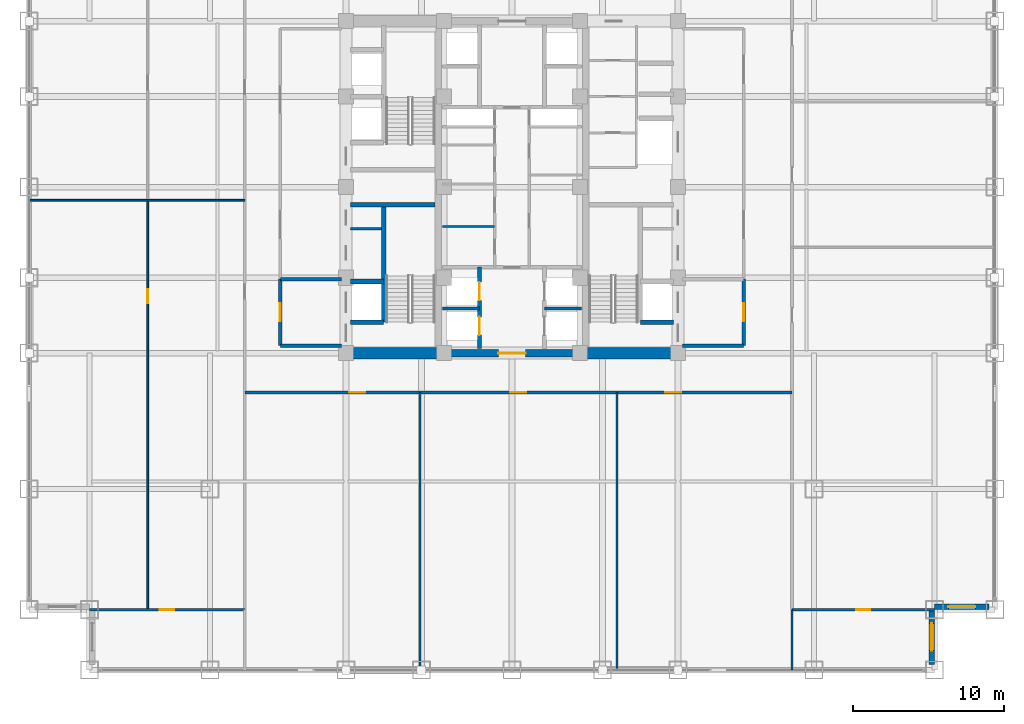
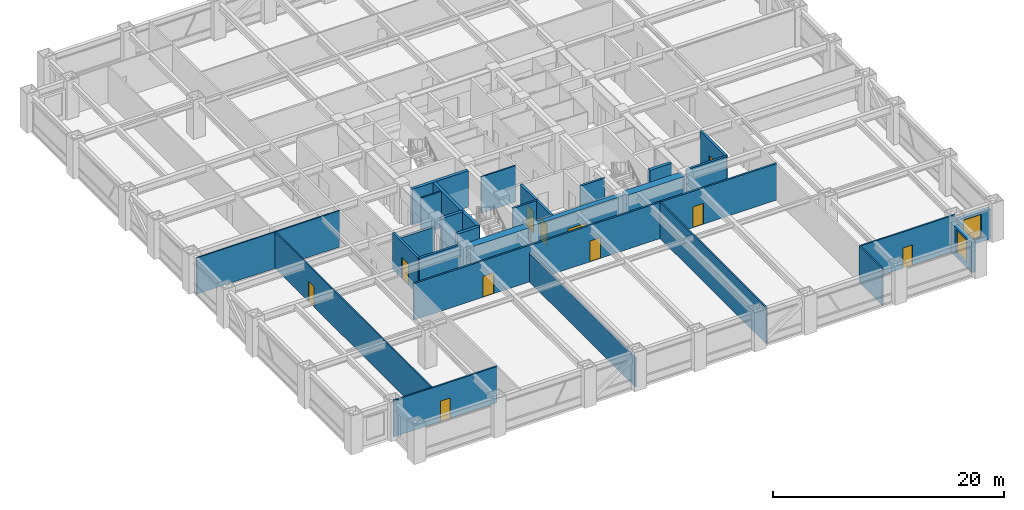
# One storey, part 23 of 27: 28 walls, 11 doors, 2 windows, 13 openings.
"""IFC4 building model written with IfcOpenShell, lengths in metres."""

import ifcopenshell
import ifcopenshell.guid

model = None  # the IFC model being written
_history = None  # IfcOwnerHistory: only IFC2X3 demands one
_inside = {}  # id of a spatial element -> (the spatial element, [elements in it])
_under = {}  # id of a project, library or spatial element -> (it, [spatial elements below it])
_declared = {}  # id of a project -> (the project, [libraries it declares])
_typed = {}  # id of a type object -> (the type object, [elements of that type])
_made_of = {}  # id of a material, layer set ... -> (it, [elements and type objects made of it])


def new_model(schema):
    """Start an empty IFC model of exactly this schema.

    Asked for "IFC4X3", IfcOpenShell would pick the latest addendum, in which some entities
    have other attributes; the version numbers below select the first issue.
    IFC2X3 requires an IfcOwnerHistory on every rooted entity: one is made here for all.
    """
    global model, _history
    if schema == "IFC4X3":
        model = ifcopenshell.file(schema_version=(4, 3, 0, 0))
    else:
        model = ifcopenshell.file(schema=schema)
    _inside.clear()
    _under.clear()
    _declared.clear()
    _typed.clear()
    _made_of.clear()
    _history = None
    if model.schema == "IFC2X3":
        org = make("IfcOrganization", Name="unknown")
        user = make(
            "IfcPersonAndOrganization",
            ThePerson=make("IfcPerson", FamilyName="unknown"),
            TheOrganization=org,
        )
        app = make(
            "IfcApplication",
            ApplicationDeveloper=org,
            Version="unknown",
            ApplicationFullName="unknown",
            ApplicationIdentifier="unknown",
        )
        _history = make(
            "IfcOwnerHistory",
            OwningUser=user,
            OwningApplication=app,
            ChangeAction="ADDED",
            CreationDate=0,
        )
    return model


def make(cls, **values):
    """One entity of the class cls with the attributes given. An attribute that is None is left unset."""
    return model.create_entity(
        cls, **{name: value for name, value in values.items() if value is not None}
    )


def rooted(cls, **values):
    """An entity with a GlobalId (a new one), such as an element, a storey or a relation."""
    return make(cls, GlobalId=ifcopenshell.guid.new(), OwnerHistory=_history, **values)


def si_unit(unit_type, name, prefix=None):
    """IfcSIUnit, for example si_unit("LENGTHUNIT", "METRE", prefix="MILLI")."""
    return make("IfcSIUnit", UnitType=unit_type, Prefix=prefix, Name=name)


def assignment(units):
    """IfcUnitAssignment: the units of a project."""
    return None if units is None else make("IfcUnitAssignment", Units=units)


def point(xyz):
    """IfcCartesianPoint."""
    return None if xyz is None else make("IfcCartesianPoint", Coordinates=xyz)


def direction(xyz):
    """IfcDirection."""
    return None if xyz is None else make("IfcDirection", DirectionRatios=xyz)


def frame(location, z_axis=None, x_axis=None):
    """IfcAxis2Placement3D, a coordinate frame: its origin and axes. An axis left out is left unset."""
    return make(
        "IfcAxis2Placement3D",
        Location=point(location),
        Axis=direction(z_axis),
        RefDirection=direction(x_axis),
    )


def frame_2d(location, x_axis=None):
    """IfcAxis2Placement2D, a coordinate frame in the plane: its origin and x axis."""
    return make(
        "IfcAxis2Placement2D", Location=point(location), RefDirection=direction(x_axis)
    )


def origin():
    """The frame at (0, 0, 0) with its axes left unset."""
    return frame((0.0, 0.0, 0.0))


def place(relative_to, where):
    """IfcLocalPlacement: puts the frame where relative to a parent placement (None: the world)."""
    return make(
        "IfcLocalPlacement", PlacementRelTo=relative_to, RelativePlacement=where
    )


def context(
    kind, dimensions, precision=None, world=None, true_north=None, identifier=None
):
    """IfcGeometricRepresentationContext, for example the 3D "Model" context."""
    return make(
        "IfcGeometricRepresentationContext",
        ContextIdentifier=identifier,
        ContextType=kind,
        CoordinateSpaceDimension=dimensions,
        Precision=precision,
        WorldCoordinateSystem=world,
        TrueNorth=true_north,
    )


def subcontext(parent, identifier, kind, view, scale=None):
    """IfcGeometricRepresentationSubContext, for example "Body" below "Model"."""
    return make(
        "IfcGeometricRepresentationSubContext",
        ContextIdentifier=identifier,
        ContextType=kind,
        ParentContext=parent,
        TargetScale=scale,
        TargetView=view,
    )


def project(units=None, contexts=None):
    """IfcProject with its units and contexts."""
    return rooted(
        "IfcProject",
        Name="project",
        RepresentationContexts=contexts,
        UnitsInContext=assignment(units),
    )


def spatial(cls, under=None, at=None, **own):
    """A site, building, storey or space (cls), placed at a placement, below another one or the project."""
    s = rooted(cls, ObjectPlacement=at, **own)
    if under is not None:
        _under.setdefault(under.id(), (under, []))[1].append(s)
    return s


def profile(cls, at=None, kind="AREA", **sizes):
    """A parametric profile (cls). Its sizes go by their IFC names, for example OverallWidth=200.0."""
    return make(cls, ProfileType=kind, Position=at, **sizes)


def rectangle(**sizes):
    """IfcRectangleProfileDef."""
    return profile("IfcRectangleProfileDef", **sizes)


def extrude(swept, where, along, depth):
    """IfcExtrudedAreaSolid: the profile swept, set in the frame where, extruded along a direction by depth."""
    return make(
        "IfcExtrudedAreaSolid",
        SweptArea=swept,
        Position=where,
        ExtrudedDirection=direction(along),
        Depth=depth,
    )


def shape(context_of_items, identifier, shape_type, items):
    """IfcShapeRepresentation: the items that make up one representation, for example the "Body"."""
    return make(
        "IfcShapeRepresentation",
        ContextOfItems=context_of_items,
        RepresentationIdentifier=identifier,
        RepresentationType=shape_type,
        Items=items,
    )


def source(mapping_origin, context_of_items, identifier, shape_type, items):
    """IfcRepresentationMap: a shape defined once, which mapped items show again and again."""
    return make(
        "IfcRepresentationMap",
        MappingOrigin=mapping_origin,
        MappedRepresentation=shape(context_of_items, identifier, shape_type, items),
    )


def transform(
    local_origin,
    x_axis=None,
    y_axis=None,
    z_axis=None,
    scale=None,
    scale2=None,
    scale3=None,
    uniform=True,
):
    """IfcCartesianTransformationOperator3D, or its non-uniform kind. x_axis, y_axis, z_axis: its Axis1, 2, 3."""
    if uniform:
        return make(
            "IfcCartesianTransformationOperator3D",
            Axis1=direction(x_axis),
            Axis2=direction(y_axis),
            LocalOrigin=point(local_origin),
            Scale=scale,
            Axis3=direction(z_axis),
        )
    return make(
        "IfcCartesianTransformationOperator3DnonUniform",
        Axis1=direction(x_axis),
        Axis2=direction(y_axis),
        LocalOrigin=point(local_origin),
        Scale=scale,
        Axis3=direction(z_axis),
        Scale2=scale2,
        Scale3=scale3,
    )


def mapped(mapping_source, mapping_target):
    """IfcMappedItem: shows the shape of a source again, moved by a transform."""
    return make(
        "IfcMappedItem", MappingSource=mapping_source, MappingTarget=mapping_target
    )


def material(Name=None, Category=None):
    """IfcMaterial."""
    return make("IfcMaterial", Name=Name, Category=Category)


def layer(
    of_material, thickness, ventilated=None, Name=None, Category=None, Priority=None
):
    """IfcMaterialLayer: one layer of a wall or slab, of a material (None: an air gap)."""
    return make(
        "IfcMaterialLayer",
        Material=of_material,
        LayerThickness=thickness,
        IsVentilated=ventilated,
        Name=Name,
        Category=Category,
        Priority=Priority,
    )


def layer_set(layers, Name=None):
    """IfcMaterialLayerSet."""
    return make("IfcMaterialLayerSet", MaterialLayers=layers, LayerSetName=Name)


def made_of(thing, what):
    """Note that an element or type object is made of a material, layer set ...; save() writes the relation."""
    if what is not None:
        _made_of.setdefault(what.id(), (what, []))[1].append(thing)
    return thing


def type_object(cls, material=None, **own):
    """A type object (cls), such as IfcWallType, which elements share."""
    return made_of(rooted(cls, **own), material)


def element(
    cls,
    number,
    at=None,
    inside=None,
    cuts=None,
    type_object=None,
    material=None,
    context=None,
    identifier="Body",
    shape_type=None,
    held_by="IfcProductDefinitionShape",
    body=None,
    shapes=None,
    **own,
):
    """One element of the class cls, such as IfcWall. Its Tag is "e" and its number.

    at: its placement. inside: the storey or other place that contains it. cuts: it is an
    opening in that element (IfcRelVoidsElement). A single representation is given by context,
    identifier, shape_type and body (its items); several are given by shapes. held_by: the class
    of the entity that holds the representations. save() writes the other relations.
    """
    e = rooted(cls, Tag="e%d" % number, ObjectPlacement=at, **own)
    if body is not None:
        shapes = [shape(context, identifier, shape_type, body)]
    if shapes is not None:
        e.Representation = make(held_by, Representations=shapes)
    if inside is not None:
        _inside.setdefault(inside.id(), (inside, []))[1].append(e)
    if cuts is not None:
        rooted(
            "IfcRelVoidsElement", RelatingBuildingElement=cuts, RelatedOpeningElement=e
        )
    if type_object is not None:
        _typed.setdefault(type_object.id(), (type_object, []))[1].append(e)
    return made_of(e, material)


def fill(opening, filler):
    """IfcRelFillsElement: the door or window that sits in an opening."""
    return rooted(
        "IfcRelFillsElement",
        RelatingOpeningElement=opening,
        RelatedBuildingElement=filler,
    )


def aggregate(whole, parts):
    """IfcRelAggregates: a whole, such as a stair, and the parts it consists of."""
    return rooted("IfcRelAggregates", RelatingObject=whole, RelatedObjects=parts)


def save(model, path):
    """Write the relations noted so far, then the file.

    IfcRelAggregates (storeys below a building ...), IfcRelContainedInSpatialStructure (elements
    in a storey), IfcRelDefinesByType, IfcRelAssociatesMaterial and IfcRelDeclares: one each for
    every whole, place, type object, material and project.
    """
    for whole, parts in _under.values():
        aggregate(whole, parts)
    for where, things in _inside.values():
        rooted(
            "IfcRelContainedInSpatialStructure",
            RelatedElements=things,
            RelatingStructure=where,
        )
    for kind, things in _typed.values():
        rooted("IfcRelDefinesByType", RelatedObjects=things, RelatingType=kind)
    for what, things in _made_of.values():
        rooted("IfcRelAssociatesMaterial", RelatedObjects=things, RelatingMaterial=what)
    for by, libraries in _declared.values():
        rooted("IfcRelDeclares", RelatingContext=by, RelatedDefinitions=libraries)
    model.write(path)


model = new_model("IFC4")

# Units and contexts
model_context = context("Model", 3, precision=1e-05, world=origin(), true_north=direction((0.0, 1.0)))
body_context = subcontext(model_context, "Body", "Model", "MODEL_VIEW")
ifc_project = project(units=[si_unit("LENGTHUNIT", "METRE"), si_unit("AREAUNIT", "SQUARE_METRE"), si_unit("VOLUMEUNIT", "CUBIC_METRE"), si_unit("PLANEANGLEUNIT", "RADIAN"), si_unit("MASSUNIT", "GRAM", prefix="KILO")], contexts=[model_context])

# Site, building, storey
site_placement = place(None, origin())
site = spatial("IfcSite", under=ifc_project, at=site_placement, CompositionType="ELEMENT")
building_placement = place(site_placement, origin())
building = spatial("IfcBuilding", under=site, at=building_placement, Name="Khorayat Bourse Tower", CompositionType="ELEMENT")
storey_placement = place(building_placement, frame((0.0, 0.0, 111.89990234375)))
storey = spatial("IfcBuildingStorey", under=building, at=storey_placement, Name="L25", CompositionType="ELEMENT", Elevation=111.89990234375)

# Walls
ifc_material_1 = material(Name="Concrete C72/90", Category="concrete")
ifc_layer_1 = layer(ifc_material_1, 0.75)
ifc_layer_set_1 = layer_set([ifc_layer_1], Name="Concrete C72/90")
wall_type_1 = type_object("IfcWallType", Name="WAL-CORE-750", PredefinedType="SHEAR", material=ifc_layer_set_1)
shared_shape_1 = source(origin(), body_context, "Body", "SweptSolid", [
    extrude(rectangle(XDim=5.849853515625, YDim=0.75, at=frame_2d((2.9248046875, 0.0))), origin(), (0.0, 0.0, 1.0), 3.840087890625),
])
for number, where, z_axis, x_axis, name in (
    (1, (-10.699951171875, -11.0, 0.0), (0.0, 0.0, 1.0), (1.0, 0.0, 0.0), "L25 Core Shear Wall PIER-WS"),
    (2, (4.85009765625, -11.0, 0.0), (0.0, 0.0, 1.0), (1.0, 0.0, 0.0), "L25 Core Shear Wall PIER-ES"),
):
    element("IfcWall", number, at=place(storey_placement, frame(where, z_axis=z_axis, x_axis=x_axis)), inside=storey, type_object=wall_type_1, Name=name, PredefinedType="SHEAR", context=body_context, shape_type="MappedRepresentation", body=[
        mapped(shared_shape_1, transform((0.0, 0.0, 0.0), scale=1.0)),
    ])
ifc_material_2 = material(Name="Concrete C50/60", Category="concrete")
ifc_layer_2 = layer(ifc_material_2, 0.300048828125)
ifc_layer_set_2 = layer_set([ifc_layer_2], Name="Concrete C50/60")
wall_type_2 = type_object("IfcWallType", Name="WAL-SHAFT-300", PredefinedType="SHEAR", material=ifc_layer_set_2)
shared_shape_2 = source(origin(), body_context, "Body", "SweptSolid", [
    extrude(rectangle(XDim=5.599853515625, YDim=0.300048828125, at=frame_2d((2.7998046875, 0.0))), origin(), (0.0, 0.0, 1.0), 3.840087890625),
])
wall_1_placement = place(storey_placement, frame((-10.699951171875, -1.14990234375, 0.0), z_axis=(0.0, 0.0, 1.0), x_axis=(1.0, 0.0, 0.0)))
element("IfcWall", 3, at=wall_1_placement, inside=storey, type_object=wall_type_2, Name="L25 Core Shear Wall ST1-DIV", PredefinedType="SHEAR", context=body_context, shape_type="MappedRepresentation", body=[
    mapped(shared_shape_2, transform((0.0, 0.0, 0.0), scale=1.0)),
])

# Wall, opening, door
ifc_material_3 = material(Name="Concrete C52/65", Category="concrete")
ifc_layer_3 = layer(ifc_material_3, 0.5)
ifc_layer_set_3 = layer_set([ifc_layer_3], Name="Concrete C52/65")
wall_type_3 = type_object("IfcWallType", Name="WAL-CORE-500", PredefinedType="SHEAR", material=ifc_layer_set_3)
shared_shape_3 = source(origin(), body_context, "Body", "SweptSolid", [
    extrude(rectangle(XDim=9.2001953125, YDim=0.5, at=frame_2d((4.60009765625, 0.0))), origin(), (0.0, 0.0, 1.0), 3.840087890625),
])
wall_2_placement = place(storey_placement, frame((-4.60009765625, -11.0, 0.0), z_axis=(0.0, 0.0, 1.0), x_axis=(1.0, 0.0, 0.0)))
wall_2 = element("IfcWall", 4, at=wall_2_placement, inside=storey, type_object=wall_type_3, Name="L25 Core Shear Wall CORE-S", PredefinedType="SHEAR", context=body_context, shape_type="MappedRepresentation", body=[
    mapped(shared_shape_3, transform((0.0, 0.0, 0.0), scale=1.0)),
])
shared_shape_4 = source(origin(), body_context, "Body", "SweptSolid", [
    extrude(rectangle(XDim=1.800048828125, YDim=2.25, at=frame_2d((0.89990234375, 1.125))), frame((0.0, 0.260009765625, 0.0), z_axis=(0.0, -1.0, 0.0), x_axis=(1.0, 0.0, 0.0)), (0.0, 0.0, 1.0), 0.52001953125),
])
opening_1_placement = place(wall_2_placement, frame((3.699951171875, 0.0, 0.0)))
opening_1 = element("IfcOpeningElement", 5, at=opening_1_placement, cuts=wall_2, Name="Opening DI-03", PredefinedType="OPENING", context=body_context, shape_type="MappedRepresentation", body=[
    mapped(shared_shape_4, transform((0.0, 0.0, 0.0), scale=1.0)),
])
ifc_material_4 = material(Name="Fire-rated hardwood vision-panel double leaf", Category="wood")
door_type_1 = type_object("IfcDoorType", Name="DR-INT-CORR-1800", OperationType="NOTDEFINED", PredefinedType="DOOR", material=ifc_material_4)
shared_shape_5 = source(origin(), body_context, "Body", "SweptSolid", [
    extrude(rectangle(XDim=1.800048828125, YDim=2.25, at=frame_2d((0.89990234375, 1.125))), frame((0.0, 0.02490234375, 0.0), z_axis=(0.0, -1.0, 0.0), x_axis=(1.0, 0.0, 0.0)), (0.0, 0.0, 1.0), 0.050048828125),
])
door_1_placement = place(opening_1_placement, origin())
door_1 = element("IfcDoor", 6, at=door_1_placement, inside=storey, type_object=door_type_1, Name="L25 Low-Rise Lift Lobby Door", OperationType="SINGLE_SWING_LEFT", OverallHeight=2.25, OverallWidth=1.800048828125, PredefinedType="DOOR", context=body_context, shape_type="MappedRepresentation", body=[
    mapped(shared_shape_5, transform((0.0, 0.0, 0.0), scale=1.0)),
])
fill(opening_1, door_1)

# Wall, opening, window
ifc_material_5 = material(Name="Precast concrete C45/55", Category="concrete")
ifc_layer_4 = layer(ifc_material_5, 0.3798828125)
ifc_layer_set_4 = layer_set([ifc_layer_4], Name="Precast concrete C45/55")
wall_type_4 = type_object("IfcWallType", Name="WAL-EXT-STONE-380", PredefinedType="STANDARD", material=ifc_layer_set_4)
shared_shape_6 = source(origin(), body_context, "Body", "SweptSolid", [
    extrude(rectangle(XDim=3.6201171875, YDim=0.3798828125, at=frame_2d((1.81005859375, 0.0))), origin(), (0.0, 0.0, 1.0), 3.14501953125),
])
wall_3_placement = place(storey_placement, frame((27.81005859375, -31.6201171875, 0.0), z_axis=(0.0, 0.0, 1.0), x_axis=(0.0, 1.0, 0.0)))
wall_3 = element("IfcWall", 7, at=wall_3_placement, inside=storey, type_object=wall_type_4, Name="L25 Re-Entrant Notch Limestone Wall SE-V", PredefinedType="STANDARD", context=body_context, shape_type="MappedRepresentation", body=[
    mapped(shared_shape_6, transform((0.0, 0.0, 0.0), scale=1.0)),
])
shared_shape_7 = source(origin(), body_context, "Body", "SweptSolid", [
    extrude(rectangle(XDim=1.800048828125, YDim=2.39990234375, at=frame_2d((0.89990234375, 1.199951171875))), frame((0.0, 0.199951171875, 0.0), z_axis=(0.0, -1.0, 0.0), x_axis=(1.0, 0.0, 0.0)), (0.0, 0.0, 1.0), 0.39990234375),
])
opening_2_placement = place(wall_3_placement, frame((0.909912109375, 0.0, 0.5)))
opening_2 = element("IfcOpeningElement", 8, at=opening_2_placement, cuts=wall_3, Name="Opening WN-04", PredefinedType="OPENING", context=body_context, shape_type="MappedRepresentation", body=[
    mapped(shared_shape_7, transform((0.0, 0.0, 0.0), scale=1.0)),
])
ifc_material_6 = material(Name="Low-E acoustic laminated double glazing", Category="glass")
window_type = type_object("IfcWindowType", Name="WIN-NOTCH-1800x2400", PartitioningType="SINGLE_PANEL", PredefinedType="WINDOW", material=ifc_material_6)
shared_shape_8 = source(origin(), body_context, "Body", "SweptSolid", [
    extrude(rectangle(XDim=1.800048828125, YDim=2.39990234375, at=frame_2d((0.89990234375, 1.199951171875))), frame((0.0, 0.030029296875, 0.0), z_axis=(0.0, -1.0, 0.0), x_axis=(1.0, 0.0, 0.0)), (0.0, 0.0, 1.0), 0.06005859375),
])
window_1_placement = place(opening_2_placement, origin())
window_1 = element("IfcWindow", 9, at=window_1_placement, inside=storey, type_object=window_type, Name="L25 Facade Window 1", OverallHeight=2.39990234375, OverallWidth=1.800048828125, PartitioningType="SINGLE_PANEL", PredefinedType="WINDOW", context=body_context, shape_type="MappedRepresentation", body=[
    mapped(shared_shape_8, transform((0.0, 0.0, 0.0), scale=1.0)),
])
fill(opening_2, window_1)

wall_4_placement = place(storey_placement, frame((28.0, -27.81005859375, 0.0), z_axis=(0.0, 0.0, 1.0), x_axis=(1.0, 0.0, 0.0)))
wall_4 = element("IfcWall", 10, at=wall_4_placement, inside=storey, type_object=wall_type_4, Name="L25 Re-Entrant Notch Limestone Wall SE-H", PredefinedType="STANDARD", context=body_context, shape_type="MappedRepresentation", body=[
    mapped(shared_shape_6, transform((0.0, 0.0, 0.0), scale=1.0)),
])
opening_3_placement = place(wall_4_placement, frame((0.909912109375, 0.0, 0.5)))
opening_3 = element("IfcOpeningElement", 11, at=opening_3_placement, cuts=wall_4, Name="Opening WN-04", PredefinedType="OPENING", context=body_context, shape_type="MappedRepresentation", body=[
    mapped(shared_shape_7, transform((0.0, 0.0, 0.0), scale=1.0)),
])
window_2_placement = place(opening_3_placement, origin())
window_2 = element("IfcWindow", 12, at=window_2_placement, inside=storey, type_object=window_type, Name="L25 Facade Window 1", OverallHeight=2.39990234375, OverallWidth=1.800048828125, PartitioningType="SINGLE_PANEL", PredefinedType="WINDOW", context=body_context, shape_type="MappedRepresentation", body=[
    mapped(shared_shape_8, transform((0.0, 0.0, 0.0), scale=1.0)),
])
fill(opening_3, window_2)

# Walls
shared_shape_9 = source(origin(), body_context, "Body", "SweptSolid", [
    extrude(rectangle(XDim=7.800048828125, YDim=0.300048828125, at=frame_2d((3.89990234375, 0.0))), origin(), (0.0, 0.0, 1.0), 3.840087890625),
])
wall_5_placement = place(storey_placement, frame((-8.5, -8.949951171875, 0.0), z_axis=(0.0, 0.0, 1.0), x_axis=(0.0, 1.0, 0.0)))
element("IfcWall", 13, at=wall_5_placement, inside=storey, type_object=wall_type_2, Name="L25 Partition WAL-L25-WPIER-SP", PredefinedType="SHEAR", context=body_context, shape_type="MappedRepresentation", body=[
    mapped(shared_shape_9, transform((0.0, 0.0, 0.0), scale=1.0)),
])
shared_shape_10 = source(origin(), body_context, "Body", "SweptSolid", [
    extrude(rectangle(XDim=2.199951171875, YDim=0.300048828125, at=frame_2d((1.10009765625, 0.0))), origin(), (0.0, 0.0, 1.0), 3.840087890625),
])
for number, where, z_axis, x_axis, name in (
    (14, (-10.699951171875, -8.949951171875, 0.0), (0.0, 0.0, 1.0), (1.0, 0.0, 0.0), "L25 Partition WAL-L25-WPIER-FF1S"),
    (15, (-10.699951171875, -6.25, 0.0), (0.0, 0.0, 1.0), (1.0, 0.0, 0.0), "L25 Partition WAL-L25-WPIER-FF1N"),
    (16, (8.5, -8.949951171875, 0.0), (0.0, 0.0, 1.0), (1.0, 0.0, 0.0), "L25 Partition WAL-L25-EPIER-FF2S"),
):
    element("IfcWall", number, at=place(storey_placement, frame(where, z_axis=z_axis, x_axis=x_axis)), inside=storey, type_object=wall_type_2, Name=name, PredefinedType="SHEAR", context=body_context, shape_type="MappedRepresentation", body=[
        mapped(shared_shape_10, transform((0.0, 0.0, 0.0), scale=1.0)),
    ])
ifc_material_7 = material(Name="Gypsum plasterboard twin-frame partition")
ifc_layer_5 = layer(ifc_material_7, 0.14990234375)
ifc_layer_set_5 = layer_set([ifc_layer_5], Name="Gypsum plasterboard twin-frame partition")
wall_type_5 = type_object("IfcWallType", Name="WAL-PART-SUITE-150", PredefinedType="PARTITIONING", material=ifc_layer_set_5)
shared_shape_11 = source(origin(), body_context, "Body", "SweptSolid", [
    extrude(rectangle(XDim=2.050048828125, YDim=0.14990234375, at=frame_2d((1.02490234375, 0.0))), origin(), (0.0, 0.0, 1.0), 3.840087890625),
])
wall_6_placement = place(storey_placement, frame((-10.699951171875, -2.75, 0.0), z_axis=(0.0, 0.0, 1.0), x_axis=(1.0, 0.0, 0.0)))
element("IfcWall", 17, at=wall_6_placement, inside=storey, type_object=wall_type_5, Name="L25 Partition WAL-L25-WSRV-D1", PredefinedType="PARTITIONING", context=body_context, shape_type="MappedRepresentation", body=[
    mapped(shared_shape_11, transform((0.0, 0.0, 0.0), scale=1.0)),
])
ifc_material_8 = material(Name="Aerated concrete blockwork", Category="masonry")
ifc_layer_6 = layer(ifc_material_8, 0.219970703125)
ifc_layer_set_6 = layer_set([ifc_layer_6], Name="Aerated concrete blockwork")
wall_type_6 = type_object("IfcWallType", Name="WAL-PART-FF-220", PredefinedType="PARTITIONING", material=ifc_layer_set_6)
shared_shape_12 = source(origin(), body_context, "Body", "SweptSolid", [
    extrude(rectangle(XDim=4.050048828125, YDim=0.219970703125, at=frame_2d((2.02490234375, 0.0))), origin(), (0.0, 0.0, 1.0), 3.840087890625),
])
for number, where, z_axis, x_axis, name in (
    (18, (-15.35009765625, -10.5, 0.0), (0.0, 0.0, 1.0), (1.0, 0.0, 0.0), "L25 Partition WAL-L25-FFLW-S"),
    (19, (11.300048828125, -10.5, 0.0), (0.0, 0.0, 1.0), (1.0, 0.0, 0.0), "L25 Partition WAL-L25-FFLE-S"),
):
    element("IfcWall", number, at=place(storey_placement, frame(where, z_axis=z_axis, x_axis=x_axis)), inside=storey, type_object=wall_type_6, Name=name, PredefinedType="PARTITIONING", context=body_context, shape_type="MappedRepresentation", body=[
        mapped(shared_shape_12, transform((0.0, 0.0, 0.0), scale=1.0)),
    ])
shared_shape_13 = source(origin(), body_context, "Body", "SweptSolid", [
    extrude(rectangle(XDim=4.050048828125, YDim=0.219970703125, at=frame_2d((2.02490234375, 0.0))), origin(), (0.0, 0.0, 1.0), 3.067138671875),
])
wall_7_placement = place(storey_placement, frame((-15.35009765625, -6.10009765625, 0.0), z_axis=(0.0, 0.0, 1.0), x_axis=(1.0, 0.0, 0.0)))
element("IfcWall", 20, at=wall_7_placement, inside=storey, type_object=wall_type_6, Name="L25 Partition WAL-L25-FFLW-N", PredefinedType="PARTITIONING", context=body_context, shape_type="MappedRepresentation", body=[
    mapped(shared_shape_13, transform((0.0, 0.0, 0.0), scale=1.0)),
])

# Wall, opening, door
shared_shape_14 = source(origin(), body_context, "Body", "SweptSolid", [
    extrude(rectangle(XDim=4.39990234375, YDim=0.219970703125, at=frame_2d((2.199951171875, 0.0))), origin(), (0.0, 0.0, 1.0), 3.840087890625),
])
wall_8_placement = place(storey_placement, frame((-15.35009765625, -10.5, 0.0), z_axis=(0.0, 0.0, 1.0), x_axis=(0.0, 1.0, 0.0)))
wall_8 = element("IfcWall", 21, at=wall_8_placement, inside=storey, type_object=wall_type_6, Name="L25 Partition WAL-L25-FFLW-W", PredefinedType="PARTITIONING", context=body_context, shape_type="MappedRepresentation", body=[
    mapped(shared_shape_14, transform((0.0, 0.0, 0.0), scale=1.0)),
])
shared_shape_15 = source(origin(), body_context, "Body", "SweptSolid", [
    extrude(rectangle(XDim=1.199951171875, YDim=2.199951171875, at=frame_2d((0.60009765625, 1.10009765625))), frame((0.0, 0.119873046875, 0.0), z_axis=(0.0, -1.0, 0.0), x_axis=(1.0, 0.0, 0.0)), (0.0, 0.0, 1.0), 0.239990234375),
])
opening_4_placement = place(wall_8_placement, frame((1.60009765625, 0.0, 0.0)))
opening_4 = element("IfcOpeningElement", 22, at=opening_4_placement, cuts=wall_8, Name="Opening DI-02", PredefinedType="OPENING", context=body_context, shape_type="MappedRepresentation", body=[
    mapped(shared_shape_15, transform((0.0, 0.0, 0.0), scale=1.0)),
])
ifc_material_9 = material(Name="Fire-rated steel double-seal leaf", Category="steel")
door_type_2 = type_object("IfcDoorType", Name="DR-INT-FFLOBBY-1200", OperationType="NOTDEFINED", PredefinedType="DOOR", material=ifc_material_9)
shared_shape_16 = source(origin(), body_context, "Body", "SweptSolid", [
    extrude(rectangle(XDim=1.199951171875, YDim=2.199951171875, at=frame_2d((0.60009765625, 1.10009765625))), frame((0.0, 0.02490234375, 0.0), z_axis=(0.0, -1.0, 0.0), x_axis=(1.0, 0.0, 0.0)), (0.0, 0.0, 1.0), 0.050048828125),
])
door_2_placement = place(opening_4_placement, origin())
door_2 = element("IfcDoor", 23, at=door_2_placement, inside=storey, type_object=door_type_2, Name="L25 West Firefighting Lobby Door", OperationType="SINGLE_SWING_LEFT", OverallHeight=2.199951171875, OverallWidth=1.199951171875, PredefinedType="DOOR", context=body_context, shape_type="MappedRepresentation", body=[
    mapped(shared_shape_16, transform((0.0, 0.0, 0.0), scale=1.0)),
])
fill(opening_4, door_2)

wall_9_placement = place(storey_placement, frame((15.35009765625, -10.5, 0.0), z_axis=(0.0, 0.0, 1.0), x_axis=(0.0, 1.0, 0.0)))
wall_9 = element("IfcWall", 24, at=wall_9_placement, inside=storey, type_object=wall_type_6, Name="L25 Partition WAL-L25-FFLE-E", PredefinedType="PARTITIONING", context=body_context, shape_type="MappedRepresentation", body=[
    mapped(shared_shape_14, transform((0.0, 0.0, 0.0), scale=1.0)),
])
opening_5_placement = place(wall_9_placement, frame((1.60009765625, 0.0, 0.0)))
opening_5 = element("IfcOpeningElement", 25, at=opening_5_placement, cuts=wall_9, Name="Opening DI-02", PredefinedType="OPENING", context=body_context, shape_type="MappedRepresentation", body=[
    mapped(shared_shape_15, transform((0.0, 0.0, 0.0), scale=1.0)),
])
door_3_placement = place(opening_5_placement, origin())
door_3 = element("IfcDoor", 26, at=door_3_placement, inside=storey, type_object=door_type_2, Name="L25 East Firefighting Lobby Door", OperationType="SINGLE_SWING_RIGHT", OverallHeight=2.199951171875, OverallWidth=1.199951171875, PredefinedType="DOOR", context=body_context, shape_type="MappedRepresentation", body=[
    mapped(shared_shape_16, transform((0.0, 0.0, 0.0), scale=1.0)),
])
fill(opening_5, door_3)

# Wall, openings, doors
shared_shape_17 = source(origin(), body_context, "Body", "SweptSolid", [
    extrude(rectangle(XDim=5.39990234375, YDim=0.25, at=frame_2d((2.699951171875, 0.0))), origin(), (0.0, 0.0, 1.0), 3.840087890625),
])
wall_10_placement = place(storey_placement, frame((-2.14990234375, -10.699951171875, 0.0), z_axis=(0.0, 0.0, 1.0), x_axis=(0.0, 1.0, 0.0)))
wall_10 = element("IfcWall", 27, at=wall_10_placement, inside=storey, type_object=wall_type_2, Name="L25 Partition WAL-L25-B1-W", PredefinedType="SHEAR", context=body_context, shape_type="MappedRepresentation", body=[
    mapped(shared_shape_17, transform((0.0, 0.0, 0.0), scale=1.0)),
])
shared_shape_18 = source(origin(), body_context, "Body", "SweptSolid", [
    extrude(rectangle(XDim=1.199951171875, YDim=2.300048828125, at=frame_2d((0.60009765625, 1.14990234375))), frame((0.0, 0.135009765625, 0.0), z_axis=(0.0, -1.0, 0.0), x_axis=(1.0, 0.0, 0.0)), (0.0, 0.0, 1.0), 0.27001953125),
])
opening_6_placement = place(wall_10_placement, frame((0.89990234375, 0.0, 0.0)))
opening_6 = element("IfcOpeningElement", 28, at=opening_6_placement, cuts=wall_10, Name="Opening LD-01", PredefinedType="OPENING", context=body_context, shape_type="MappedRepresentation", body=[
    mapped(shared_shape_18, transform((0.0, 0.0, 0.0), scale=1.0)),
])
opening_7_placement = place(wall_10_placement, frame((3.199951171875, 0.0, 0.0)))
opening_7 = element("IfcOpeningElement", 29, at=opening_7_placement, cuts=wall_10, Name="Opening LD-01", PredefinedType="OPENING", context=body_context, shape_type="MappedRepresentation", body=[
    mapped(shared_shape_18, transform((0.0, 0.0, 0.0), scale=1.0)),
])
ifc_material_10 = material(Name="Brushed bronze stainless-steel sliding door", Category="steel")
door_type_3 = type_object("IfcDoorType", Name="DR-LIFT-PASS-1200", OperationType="NOTDEFINED", PredefinedType="DOOR", material=ifc_material_10)
shared_shape_19 = source(origin(), body_context, "Body", "SweptSolid", [
    extrude(rectangle(XDim=1.199951171875, YDim=2.300048828125, at=frame_2d((0.60009765625, 1.14990234375))), frame((0.0, 0.02490234375, 0.0), z_axis=(0.0, -1.0, 0.0), x_axis=(1.0, 0.0, 0.0)), (0.0, 0.0, 1.0), 0.050048828125),
])
door_4_placement = place(opening_6_placement, origin())
door_4 = element("IfcDoor", 30, at=door_4_placement, inside=storey, type_object=door_type_3, Name="L25 Lift PL-L1 Sliding Landing Door", OperationType="SLIDING_TO_LEFT", OverallHeight=2.300048828125, OverallWidth=1.199951171875, PredefinedType="DOOR", context=body_context, shape_type="MappedRepresentation", body=[
    mapped(shared_shape_19, transform((0.0, 0.0, 0.0), scale=1.0)),
])
fill(opening_6, door_4)
door_5_placement = place(opening_7_placement, origin())
door_5 = element("IfcDoor", 31, at=door_5_placement, inside=storey, type_object=door_type_3, Name="L25 Lift PL-L3 Sliding Landing Door", OperationType="SLIDING_TO_LEFT", OverallHeight=2.300048828125, OverallWidth=1.199951171875, PredefinedType="DOOR", context=body_context, shape_type="MappedRepresentation", body=[
    mapped(shared_shape_19, transform((0.0, 0.0, 0.0), scale=1.0)),
])
fill(opening_7, door_5)

# Walls
shared_shape_20 = source(origin(), body_context, "Body", "SweptSolid", [
    extrude(rectangle(XDim=2.4501953125, YDim=0.199951171875, at=frame_2d((1.22509765625, 0.0))), origin(), (0.0, 0.0, 1.0), 3.840087890625),
])
for number, where, z_axis, x_axis, name in (
    (32, (-4.60009765625, -8.050048828125, 0.0), (0.0, 0.0, 1.0), (1.0, 0.0, 0.0), "L25 Partition WAL-L25-B1-MW"),
    (33, (2.14990234375, -8.050048828125, 0.0), (0.0, 0.0, 1.0), (1.0, 0.0, 0.0), "L25 Partition WAL-L25-B1-ME"),
):
    element("IfcWall", number, at=place(storey_placement, frame(where, z_axis=z_axis, x_axis=x_axis)), inside=storey, type_object=wall_type_2, Name=name, PredefinedType="SHEAR", context=body_context, shape_type="MappedRepresentation", body=[
        mapped(shared_shape_20, transform((0.0, 0.0, 0.0), scale=1.0)),
    ])
ifc_material_11 = material(Name="Moisture-resistant masonry partition", Category="masonry")
ifc_layer_7 = layer(ifc_material_11, 0.139892578125)
ifc_layer_set_7 = layer_set([ifc_layer_7], Name="Moisture-resistant masonry partition")
wall_type_7 = type_object("IfcWallType", Name="WAL-PART-WET-140", PredefinedType="PARTITIONING", material=ifc_layer_set_7)
shared_shape_21 = source(origin(), body_context, "Body", "SweptSolid", [
    extrude(rectangle(XDim=3.4501953125, YDim=0.139892578125, at=frame_2d((1.72509765625, 0.0))), origin(), (0.0, 0.0, 1.0), 3.840087890625),
])
wall_11_placement = place(storey_placement, frame((-4.60009765625, -2.60009765625, 0.0), z_axis=(0.0, 0.0, 1.0), x_axis=(1.0, 0.0, 0.0)))
element("IfcWall", 34, at=wall_11_placement, inside=storey, type_object=wall_type_7, Name="L25 Partition WAL-L25-CMW-D1", PredefinedType="PARTITIONING", context=body_context, shape_type="MappedRepresentation", body=[
    mapped(shared_shape_21, transform((0.0, 0.0, 0.0), scale=1.0)),
])
shared_shape_22 = source(origin(), body_context, "Body", "SweptSolid", [
    extrude(rectangle(XDim=4.0, YDim=0.14990234375, at=frame_2d((2.0, 0.0))), origin(), (0.0, 0.0, 1.0), 3.840087890625),
])
wall_12_placement = place(storey_placement, frame((18.550048828125, -32.0, 0.0), z_axis=(0.0, 0.0, 1.0), x_axis=(0.0, 1.0, 0.0)))
element("IfcWall", 35, at=wall_12_placement, inside=storey, type_object=wall_type_5, Name="L25 Partition WAL-L25-SCE-END", PredefinedType="PARTITIONING", context=body_context, shape_type="MappedRepresentation", body=[
    mapped(shared_shape_22, transform((0.0, 0.0, 0.0), scale=1.0)),
])
ifc_material_12 = material(Name="Gypsum plasterboard partition")
ifc_layer_8 = layer(ifc_material_12, 0.125)
ifc_layer_set_8 = layer_set([ifc_layer_8], Name="Gypsum plasterboard partition")
wall_type_8 = type_object("IfcWallType", Name="WAL-PART-ROOM-125", PredefinedType="PARTITIONING", material=ifc_layer_set_8)
shared_shape_23 = source(origin(), body_context, "Body", "SweptSolid", [
    extrude(rectangle(XDim=14.300048828125, YDim=0.125, at=frame_2d((7.14990234375, 0.0))), origin(), (0.0, 0.0, 1.0), 3.840087890625),
])
wall_13_placement = place(storey_placement, frame((-32.0, -0.864990234375, 0.0), z_axis=(0.0, 0.0, 1.0), x_axis=(1.0, 0.0, 0.0)))
element("IfcWall", 36, at=wall_13_placement, inside=storey, type_object=wall_type_8, Name="L25 Partition WAL-L25-WDV-1", PredefinedType="PARTITIONING", context=body_context, shape_type="MappedRepresentation", body=[
    mapped(shared_shape_23, transform((0.0, 0.0, 0.0), scale=1.0)),
])

# Wall, opening, door
shared_shape_24 = source(origin(), body_context, "Body", "SweptSolid", [
    extrude(rectangle(XDim=10.300048828125, YDim=0.14990234375, at=frame_2d((5.14990234375, 0.0))), origin(), (0.0, 0.0, 1.0), 3.840087890625),
])
wall_14_placement = place(storey_placement, frame((-28.0, -28.0, 0.0), z_axis=(0.0, 0.0, 1.0), x_axis=(1.0, 0.0, 0.0)))
wall_14 = element("IfcWall", 37, at=wall_14_placement, inside=storey, type_object=wall_type_5, Name="L25 Partition WAL-L25-CSW", PredefinedType="PARTITIONING", context=body_context, shape_type="MappedRepresentation", body=[
    mapped(shared_shape_24, transform((0.0, 0.0, 0.0), scale=1.0)),
])
shared_shape_25 = source(origin(), body_context, "Body", "SweptSolid", [
    extrude(rectangle(XDim=0.949951171875, YDim=2.14990234375, at=frame_2d((0.47509765625, 1.074951171875))), frame((0.0, 0.0849609375, 0.0), z_axis=(0.0, -1.0, 0.0), x_axis=(1.0, 0.0, 0.0)), (0.0, 0.0, 1.0), 0.169921875),
])
opening_8_placement = place(wall_14_placement, frame((4.675048828125, 0.0, 0.0)))
opening_8 = element("IfcOpeningElement", 38, at=opening_8_placement, cuts=wall_14, Name="Opening DI-05", PredefinedType="OPENING", context=body_context, shape_type="MappedRepresentation", body=[
    mapped(shared_shape_25, transform((0.0, 0.0, 0.0), scale=1.0)),
])
ifc_material_13 = material(Name="Acoustic oak veneer office door")
door_type_4 = type_object("IfcDoorType", Name="DR-INT-OFFICE-950", OperationType="NOTDEFINED", PredefinedType="DOOR", material=ifc_material_13)
shared_shape_26 = source(origin(), body_context, "Body", "SweptSolid", [
    extrude(rectangle(XDim=0.949951171875, YDim=2.14990234375, at=frame_2d((0.47509765625, 1.074951171875))), frame((0.0, 0.02490234375, 0.0), z_axis=(0.0, -1.0, 0.0), x_axis=(1.0, 0.0, 0.0)), (0.0, 0.0, 1.0), 0.050048828125),
])
door_6_placement = place(opening_8_placement, origin())
door_6 = element("IfcDoor", 39, at=door_6_placement, inside=storey, type_object=door_type_4, Name="L25 South-West Corner Office Door", OperationType="SINGLE_SWING_LEFT", OverallHeight=2.14990234375, OverallWidth=0.949951171875, PredefinedType="DOOR", context=body_context, shape_type="MappedRepresentation", body=[
    mapped(shared_shape_26, transform((0.0, 0.0, 0.0), scale=1.0)),
])
fill(opening_8, door_6)

# Walls
shared_shape_27 = source(origin(), body_context, "Body", "SweptSolid", [
    extrude(rectangle(XDim=18.39990234375, YDim=0.14990234375, at=frame_2d((9.199951171875, 0.0))), origin(), (0.0, 0.0, 1.0), 3.067138671875),
])
wall_15_placement = place(storey_placement, frame((-6.10009765625, -32.0, 0.0), z_axis=(0.0, 0.0, 1.0), x_axis=(0.0, 1.0, 0.0)))
element("IfcWall", 40, at=wall_15_placement, inside=storey, type_object=wall_type_5, Name="L25 Partition WAL-L25-SDV-1", PredefinedType="PARTITIONING", context=body_context, shape_type="MappedRepresentation", body=[
    mapped(shared_shape_27, transform((0.0, 0.0, 0.0), scale=1.0)),
])
shared_shape_28 = source(origin(), body_context, "Body", "SweptSolid", [
    extrude(rectangle(XDim=18.39990234375, YDim=0.14990234375, at=frame_2d((9.199951171875, 0.0))), origin(), (0.0, 0.0, 1.0), 3.840087890625),
])
wall_16_placement = place(storey_placement, frame((6.949951171875, -32.0, 0.0), z_axis=(0.0, 0.0, 1.0), x_axis=(0.0, 1.0, 0.0)))
element("IfcWall", 41, at=wall_16_placement, inside=storey, type_object=wall_type_5, Name="L25 Partition WAL-L25-SDV-2", PredefinedType="PARTITIONING", context=body_context, shape_type="MappedRepresentation", body=[
    mapped(shared_shape_28, transform((0.0, 0.0, 0.0), scale=1.0)),
])

# Wall, openings, doors
ifc_material_14 = material(Name="Gypsum plasterboard acoustic stud wall")
ifc_layer_9 = layer(ifc_material_14, 0.179931640625)
ifc_layer_set_9 = layer_set([ifc_layer_9], Name="Gypsum plasterboard acoustic stud wall")
wall_type_9 = type_object("IfcWallType", Name="WAL-PART-CORR-180", PredefinedType="PARTITIONING", material=ifc_layer_set_9)
shared_shape_29 = source(origin(), body_context, "Body", "SweptSolid", [
    extrude(rectangle(XDim=36.25, YDim=0.179931640625, at=frame_2d((18.125, 0.0))), origin(), (0.0, 0.0, 1.0), 3.840087890625),
])
wall_17_placement = place(storey_placement, frame((-17.699951171875, -13.60009765625, 0.0), z_axis=(0.0, 0.0, 1.0), x_axis=(1.0, 0.0, 0.0)))
wall_17 = element("IfcWall", 42, at=wall_17_placement, inside=storey, type_object=wall_type_9, Name="L25 Partition WAL-L25-SCORR", PredefinedType="PARTITIONING", context=body_context, shape_type="MappedRepresentation", body=[
    mapped(shared_shape_29, transform((0.0, 0.0, 0.0), scale=1.0)),
])
shared_shape_30 = source(origin(), body_context, "Body", "SweptSolid", [
    extrude(rectangle(XDim=1.050048828125, YDim=2.199951171875, at=frame_2d((0.52490234375, 1.10009765625))), frame((0.0, 0.099853515625, 0.0), z_axis=(0.0, -1.0, 0.0), x_axis=(1.0, 0.0, 0.0)), (0.0, 0.0, 1.0), 0.199951171875),
])
opening_9_placement = place(wall_17_placement, frame((6.925048828125, 0.0, 0.0)))
opening_9 = element("IfcOpeningElement", 43, at=opening_9_placement, cuts=wall_17, Name="Opening DI-04", PredefinedType="OPENING", context=body_context, shape_type="MappedRepresentation", body=[
    mapped(shared_shape_30, transform((0.0, 0.0, 0.0), scale=1.0)),
])
opening_10_placement = place(wall_17_placement, frame((17.60009765625, 0.0, 0.0)))
opening_10 = element("IfcOpeningElement", 44, at=opening_10_placement, cuts=wall_17, Name="Opening DI-04", PredefinedType="OPENING", context=body_context, shape_type="MappedRepresentation", body=[
    mapped(shared_shape_30, transform((0.0, 0.0, 0.0), scale=1.0)),
])
opening_11_placement = place(wall_17_placement, frame((27.85009765625, 0.0, 0.0)))
opening_11 = element("IfcOpeningElement", 45, at=opening_11_placement, cuts=wall_17, Name="Opening DI-04", PredefinedType="OPENING", context=body_context, shape_type="MappedRepresentation", body=[
    mapped(shared_shape_30, transform((0.0, 0.0, 0.0), scale=1.0)),
])
ifc_material_15 = material(Name="Fire-rated oak veneer suite entrance door")
door_type_5 = type_object("IfcDoorType", Name="DR-INT-SUITE-1050", OperationType="NOTDEFINED", PredefinedType="DOOR", material=ifc_material_15)
shared_shape_31 = source(origin(), body_context, "Body", "SweptSolid", [
    extrude(rectangle(XDim=1.050048828125, YDim=2.199951171875, at=frame_2d((0.52490234375, 1.10009765625))), frame((0.0, 0.02490234375, 0.0), z_axis=(0.0, -1.0, 0.0), x_axis=(1.0, 0.0, 0.0)), (0.0, 0.0, 1.0), 0.050048828125),
])
door_7_placement = place(opening_9_placement, origin())
door_7 = element("IfcDoor", 46, at=door_7_placement, inside=storey, type_object=door_type_5, Name="L25 Executive Boardroom S1 Door", OperationType="SINGLE_SWING_RIGHT", OverallHeight=2.199951171875, OverallWidth=1.050048828125, PredefinedType="DOOR", context=body_context, shape_type="MappedRepresentation", body=[
    mapped(shared_shape_31, transform((0.0, 0.0, 0.0), scale=1.0)),
])
fill(opening_9, door_7)
door_8_placement = place(opening_10_placement, origin())
door_8 = element("IfcDoor", 47, at=door_8_placement, inside=storey, type_object=door_type_5, Name="L25 Market Committee Conference Room S2 Door", OperationType="SINGLE_SWING_LEFT", OverallHeight=2.199951171875, OverallWidth=1.050048828125, PredefinedType="DOOR", context=body_context, shape_type="MappedRepresentation", body=[
    mapped(shared_shape_31, transform((0.0, 0.0, 0.0), scale=1.0)),
])
fill(opening_10, door_8)
door_9_placement = place(opening_11_placement, origin())
door_9 = element("IfcDoor", 48, at=door_9_placement, inside=storey, type_object=door_type_5, Name="L25 Brokerage Seminar Room S3 Door", OperationType="SINGLE_SWING_RIGHT", OverallHeight=2.199951171875, OverallWidth=1.050048828125, PredefinedType="DOOR", context=body_context, shape_type="MappedRepresentation", body=[
    mapped(shared_shape_31, transform((0.0, 0.0, 0.0), scale=1.0)),
])
fill(opening_11, door_9)

# Wall, opening, door
shared_shape_32 = source(origin(), body_context, "Body", "SweptSolid", [
    extrude(rectangle(XDim=27.135009765625, YDim=0.125, at=frame_2d((13.5673828125, 0.0))), origin(), (0.0, 0.0, 1.0), 3.840087890625),
])
wall_18_placement = place(storey_placement, frame((-24.135009765625, -28.0, 0.0), z_axis=(0.0, 0.0, 1.0), x_axis=(0.0, 1.0, 0.0)))
wall_18 = element("IfcWall", 49, at=wall_18_placement, inside=storey, type_object=wall_type_8, Name="L25 Partition WAL-L25-WDP-1", PredefinedType="PARTITIONING", context=body_context, shape_type="MappedRepresentation", body=[
    mapped(shared_shape_32, transform((0.0, 0.0, 0.0), scale=1.0)),
])
shared_shape_33 = source(origin(), body_context, "Body", "SweptSolid", [
    extrude(rectangle(XDim=0.949951171875, YDim=2.14990234375, at=frame_2d((0.47509765625, 1.074951171875))), frame((0.0, 0.072509765625, 0.0), z_axis=(0.0, -1.0, 0.0), x_axis=(1.0, 0.0, 0.0)), (0.0, 0.0, 1.0), 0.14501953125),
])
opening_12_placement = place(wall_18_placement, frame((20.29248046875, 0.0, 0.0)))
opening_12 = element("IfcOpeningElement", 50, at=opening_12_placement, cuts=wall_18, Name="Opening DI-05", PredefinedType="OPENING", context=body_context, shape_type="MappedRepresentation", body=[
    mapped(shared_shape_33, transform((0.0, 0.0, 0.0), scale=1.0)),
])
door_10_placement = place(opening_12_placement, origin())
door_10 = element("IfcDoor", 51, at=door_10_placement, inside=storey, type_object=door_type_4, Name="L25 Brokerage Member Kiosk W1B Door", OperationType="SINGLE_SWING_RIGHT", OverallHeight=2.14990234375, OverallWidth=0.949951171875, PredefinedType="DOOR", context=body_context, shape_type="MappedRepresentation", body=[
    mapped(shared_shape_26, transform((0.0, 0.0, 0.0), scale=1.0)),
])
fill(opening_12, door_10)

shared_shape_34 = source(origin(), body_context, "Body", "SweptSolid", [
    extrude(rectangle(XDim=9.449951171875, YDim=0.14990234375, at=frame_2d((4.72509765625, 0.0))), origin(), (0.0, 0.0, 1.0), 3.840087890625),
])
wall_19_placement = place(storey_placement, frame((18.550048828125, -28.0, 0.0), z_axis=(0.0, 0.0, 1.0), x_axis=(1.0, 0.0, 0.0)))
wall_19 = element("IfcWall", 52, at=wall_19_placement, inside=storey, type_object=wall_type_5, Name="L25 Partition WAL-L25-CSE", PredefinedType="PARTITIONING", context=body_context, shape_type="MappedRepresentation", body=[
    mapped(shared_shape_34, transform((0.0, 0.0, 0.0), scale=1.0)),
])
opening_13_placement = place(wall_19_placement, frame((4.25, 0.0, 0.0)))
opening_13 = element("IfcOpeningElement", 53, at=opening_13_placement, cuts=wall_19, Name="Opening DI-05", PredefinedType="OPENING", context=body_context, shape_type="MappedRepresentation", body=[
    mapped(shared_shape_25, transform((0.0, 0.0, 0.0), scale=1.0)),
])
door_11_placement = place(opening_13_placement, origin())
door_11 = element("IfcDoor", 54, at=door_11_placement, inside=storey, type_object=door_type_4, Name="L25 South-East Corner Briefing Room Door", OperationType="SINGLE_SWING_LEFT", OverallHeight=2.14990234375, OverallWidth=0.949951171875, PredefinedType="DOOR", context=body_context, shape_type="MappedRepresentation", body=[
    mapped(shared_shape_26, transform((0.0, 0.0, 0.0), scale=1.0)),
])
fill(opening_13, door_11)

save(model, "model.ifc")
